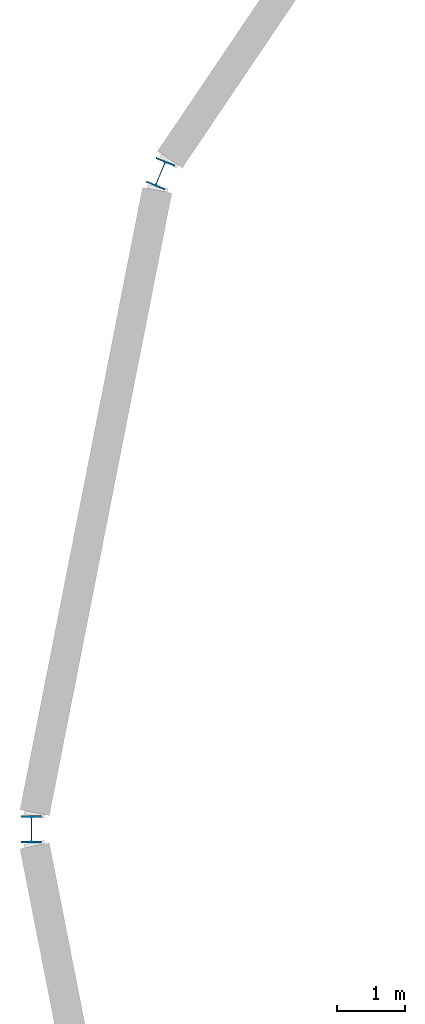
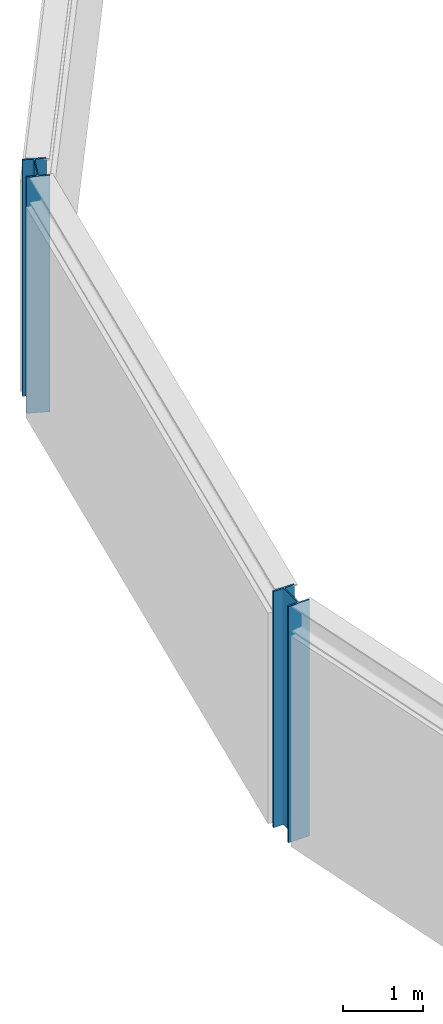
# One storey, part 2 of 120: 2 columns.
"""IFC4 building model written with IfcOpenShell, lengths in metres."""

from ifc_helpers import new_model, si_unit, direction, frame, origin, origin_2d, place, context, subcontext, project, spatial, i_section, extrude, material, material_profile, profile_set, type_object, element, save


model = new_model("IFC4")

# Units and contexts
model_context = context("Model", 3, precision=1e-05, world=origin(), true_north=direction((0.0, 1.0)))
body_context = subcontext(model_context, "Body", "Model", "MODEL_VIEW")
ifc_project = project(units=[si_unit("LENGTHUNIT", "METRE"), si_unit("AREAUNIT", "SQUARE_METRE"), si_unit("VOLUMEUNIT", "CUBIC_METRE"), si_unit("PLANEANGLEUNIT", "RADIAN"), si_unit("MASSUNIT", "GRAM", prefix="KILO")], contexts=[model_context])

# Site, building, storey
site_placement = place(None, origin())
site = spatial("IfcSite", under=ifc_project, at=site_placement, CompositionType="ELEMENT")
building_placement = place(site_placement, origin())
building = spatial("IfcBuilding", under=site, at=building_placement, Name="Kupolbacken Congress Centre", CompositionType="ELEMENT")
storey_placement = place(building_placement, frame((0.0, 0.0, 21.60009765625)))
storey = spatial("IfcBuildingStorey", under=building, at=storey_placement, Name="L06", CompositionType="ELEMENT", Elevation=21.60009765625)

# Columns
ifc_material = material(Name="Steel S355", Category="steel")
ifc_material_profile = material_profile(ifc_material, i_section(OverallWidth=0.300048828125, OverallDepth=0.39990234375, WebThickness=0.013427734375, FlangeThickness=0.02392578125, FilletRadius=0.027099609375, at=origin_2d()), Name="HEB 400")
ifc_profile_set = profile_set([ifc_material_profile], Name="Steel S355")
column_type = type_object("IfcColumnType", Name="C08 column HEB 400", PredefinedType="COLUMN", material=ifc_profile_set)
for number, where, z_axis, x_axis, name in (
    (1, (19.89990234375, 96.050048828125, 0.0), (0.0, 0.0, 1.0), (-0.923896018243, 0.382643629864, 0.0), "S/col/C-D08/L06"),
    (2, (18.0, 86.39990234375, 0.0), (0.0, 0.0, 1.0), (-1.0, 0.0, 0.0), "S/col/C-D09/L06"),
):
    element("IfcColumn", number, at=place(storey_placement, frame(where, z_axis=z_axis, x_axis=x_axis)), inside=storey, type_object=column_type, Name=name, PredefinedType="COLUMN", context=body_context, shape_type="SweptSolid", body=[
        extrude(i_section(OverallWidth=0.300048828125, OverallDepth=0.39990234375, WebThickness=0.013427734375, FlangeThickness=0.02392578125, FilletRadius=0.027099609375, at=origin_2d()), origin(), (0.0, 0.0, 1.0), 3.599853515625),
    ])

save(model, "model.ifc")
